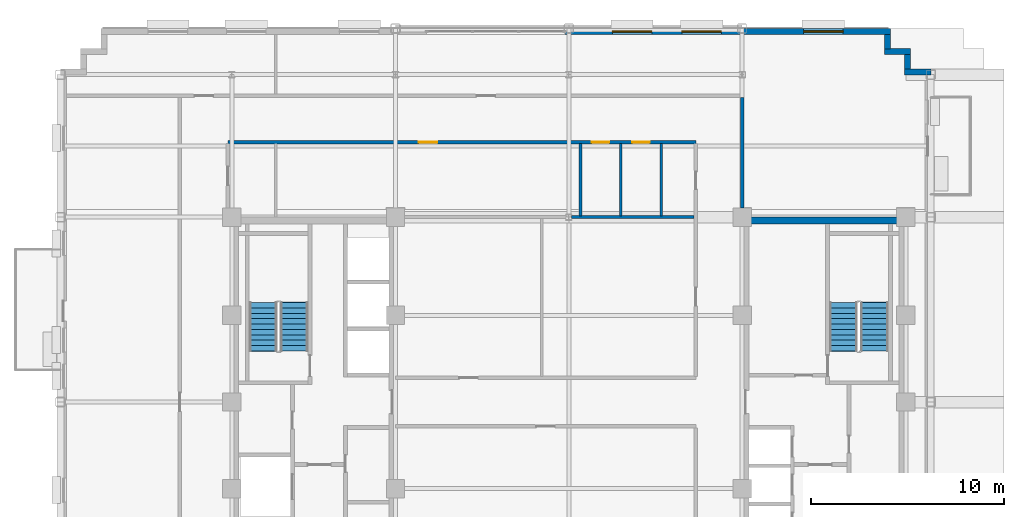
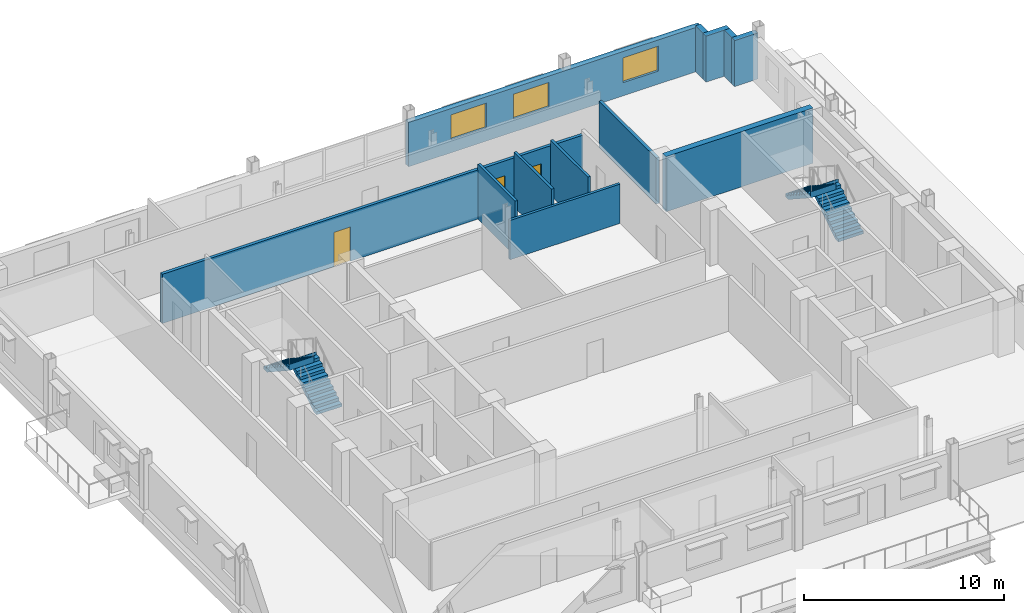
# One storey, part 10 of 16: 12 walls, 4 stair flights, 3 doors, 3 windows, 6 openings, 2 elements without a shape of their own.
"""IFC4 building model written with IfcOpenShell, lengths in metres."""

from ifc_helpers import new_model, si_unit, direction, frame, frame_2d, origin, place, context, subcontext, project, spatial, polyline, rectangle, outline, extrude, source, transform, mapped, material, layer, layer_set, type_object, type_shapes, element, fill, aggregate, save


model = new_model("IFC4")

# Units and contexts
model_context = context("Model", 3, precision=1e-05, world=origin(), true_north=direction((0.0, 1.0)))
body_context = subcontext(model_context, "Body", "Model", "MODEL_VIEW")
ifc_project = project(units=[si_unit("LENGTHUNIT", "METRE"), si_unit("AREAUNIT", "SQUARE_METRE"), si_unit("VOLUMEUNIT", "CUBIC_METRE"), si_unit("PLANEANGLEUNIT", "RADIAN"), si_unit("MASSUNIT", "GRAM", prefix="KILO")], contexts=[model_context])

# Site, building, storey
site_placement = place(None, origin())
site = spatial("IfcSite", under=ifc_project, at=site_placement, CompositionType="ELEMENT")
building_placement = place(site_placement, origin())
building = spatial("IfcBuilding", under=site, at=building_placement, Name="Nuvemarco Arch Tower", CompositionType="ELEMENT")
storey_placement = place(building_placement, frame((0.0, 0.0, 209.14990234375)))
storey = spatial("IfcBuildingStorey", under=building, at=storey_placement, Name="L55", CompositionType="ELEMENT", Elevation=209.14990234375)

# Walls
ifc_material_1 = material(Name="Precast concrete C45/55", Category="concrete")
ifc_layer_1 = layer(ifc_material_1, 0.31005859375, Name="EW-UPP-310")
ifc_layer_set_1 = layer_set([ifc_layer_1], Name="Precast concrete C45/55")
wall_type_1 = type_object("IfcWallType", Name="EW-UPP-310", PredefinedType="STANDARD", material=ifc_layer_set_1)
wall_1_placement = place(storey_placement, frame((17.43994140625, 17.14501953125, 0.0), z_axis=(0.0, 0.0, 1.0), x_axis=(1.0, 0.0, 0.0)))
element("IfcWall", 1, at=wall_1_placement, inside=storey, type_object=wall_type_1, Name="L55 exterior precast facade wall 7", PredefinedType="STANDARD", context=body_context, shape_type="SweptSolid", body=[
    extrude(rectangle(XDim=1.360107421875, YDim=0.31005859375, at=frame_2d((0.68017578125, 0.0))), origin(), (0.0, 0.0, 1.0), 2.816162109375),
])
wall_2_placement = place(storey_placement, frame((17.594970703125, 17.2958984375, 0.0), z_axis=(0.0, 0.0, 1.0), x_axis=(0.0, 1.0, 0.0)))
element("IfcWall", 2, at=wall_2_placement, inside=storey, type_object=wall_type_1, Name="L55 exterior precast facade wall 8", PredefinedType="STANDARD", context=body_context, shape_type="SweptSolid", body=[
    extrude(rectangle(XDim=0.748046875, YDim=0.31005859375, at=frame_2d((0.3740234375, 0.0))), origin(), (0.0, 0.0, 1.0), 2.816162109375),
])
wall_3_placement = place(storey_placement, frame((16.389892578125, 18.195068359375, 0.0), z_axis=(0.0, 0.0, 1.0), x_axis=(1.0, 0.0, 0.0)))
element("IfcWall", 3, at=wall_3_placement, inside=storey, type_object=wall_type_1, Name="L55 exterior precast facade wall 9", PredefinedType="STANDARD", context=body_context, shape_type="SweptSolid", body=[
    extrude(rectangle(XDim=1.360107421875, YDim=0.31005859375, at=frame_2d((0.68017578125, 0.0))), origin(), (0.0, 0.0, 1.0), 2.816162109375),
])
wall_4_placement = place(storey_placement, frame((16.544921875, 18.345947265625, 0.0), z_axis=(0.0, 0.0, 1.0), x_axis=(0.0, 1.0, 0.0)))
element("IfcWall", 4, at=wall_4_placement, inside=storey, type_object=wall_type_1, Name="L55 exterior precast facade wall 10", PredefinedType="STANDARD", context=body_context, shape_type="SweptSolid", body=[
    extrude(rectangle(XDim=0.748046875, YDim=0.31005859375, at=frame_2d((0.3740234375, 0.0))), origin(), (0.0, 0.0, 1.0), 2.816162109375),
])

# Wall, openings, windows
wall_5_placement = place(storey_placement, frame((-0.199951171875, 19.2451171875, 0.0), z_axis=(0.0, 0.0, 1.0), x_axis=(1.0, 0.0, 0.0)))
wall_5 = element("IfcWall", 5, at=wall_5_placement, inside=storey, type_object=wall_type_1, Name="L55 exterior precast pier wall north right", PredefinedType="STANDARD", context=body_context, shape_type="SweptSolid", body=[
    extrude(rectangle(XDim=16.89990234375, YDim=0.31005859375, at=frame_2d((8.449951171875, 0.0))), origin(), (0.0, 0.0, 1.0), 2.705078125),
])
opening_1_placement = place(wall_5_placement, frame((2.458251953125, 0.0, 0.800048828125)))
opening_1 = element("IfcOpeningElement", 6, at=opening_1_placement, cuts=wall_5, Name="Opening WN-12", PredefinedType="OPENING", context=body_context, shape_type="SweptSolid", body=[
    extrude(rectangle(XDim=2.050048828125, YDim=1.52001953125, at=frame_2d((1.02490234375, 0.760009765625))), frame((0.0, 0.1650390625, 0.0), z_axis=(0.0, -1.0, 0.0), x_axis=(1.0, 0.0, 0.0)), (0.0, 0.0, 1.0), 0.330078125),
])
opening_2_placement = place(wall_5_placement, frame((6.074951171875, 0.0, 0.800048828125)))
opening_2 = element("IfcOpeningElement", 7, at=opening_2_placement, cuts=wall_5, Name="Opening WN-12", PredefinedType="OPENING", context=body_context, shape_type="SweptSolid", body=[
    extrude(rectangle(XDim=2.050048828125, YDim=1.52001953125, at=frame_2d((1.02490234375, 0.760009765625))), frame((0.0, 0.1650390625, 0.0), z_axis=(0.0, -1.0, 0.0), x_axis=(1.0, 0.0, 0.0)), (0.0, 0.0, 1.0), 0.330078125),
])
opening_3_placement = place(wall_5_placement, frame((12.3916015625, 0.0, 0.800048828125)))
opening_3 = element("IfcOpeningElement", 8, at=opening_3_placement, cuts=wall_5, Name="Opening WN-12", PredefinedType="OPENING", context=body_context, shape_type="SweptSolid", body=[
    extrude(rectangle(XDim=2.050048828125, YDim=1.52001953125, at=frame_2d((1.02490234375, 0.760009765625))), frame((0.0, 0.1650390625, 0.0), z_axis=(0.0, -1.0, 0.0), x_axis=(1.0, 0.0, 0.0)), (0.0, 0.0, 1.0), 0.330078125),
])
ifc_material_2 = material(Name="Insulated solar-control glass", Category="glass")
window_type = type_object("IfcWindowType", Name="WN-SET-2050x1520", PartitioningType="DOUBLE_PANEL_VERTICAL", PredefinedType="WINDOW", material=ifc_material_2)
shared_shape_1 = source(origin(), body_context, "Body", "SweptSolid", [
    extrude(rectangle(XDim=2.050048828125, YDim=1.52001953125, at=frame_2d((1.02490234375, 0.760009765625))), frame((0.0, 0.030029296875, 0.0), z_axis=(0.0, -1.0, 0.0), x_axis=(1.0, 0.0, 0.0)), (0.0, 0.0, 1.0), 0.06005859375),
])
type_shapes(window_type, [shared_shape_1])
window_1_placement = place(opening_1_placement, origin())
window_1 = element("IfcWindow", 9, at=window_1_placement, inside=storey, type_object=window_type, Name="L55 punched facade window 1", OverallHeight=1.52001953125, OverallWidth=2.050048828125, PartitioningType="SINGLE_PANEL", PredefinedType="WINDOW", context=body_context, shape_type="MappedRepresentation", body=[
    mapped(shared_shape_1, transform((0.0, 0.0, 0.0), scale=1.0)),
])
fill(opening_1, window_1)
window_2_placement = place(opening_2_placement, origin())
window_2 = element("IfcWindow", 10, at=window_2_placement, inside=storey, type_object=window_type, Name="L55 punched facade window 2", OverallHeight=1.52001953125, OverallWidth=2.050048828125, PartitioningType="SINGLE_PANEL", PredefinedType="WINDOW", context=body_context, shape_type="MappedRepresentation", body=[
    mapped(shared_shape_1, transform((0.0, 0.0, 0.0), scale=1.0)),
])
fill(opening_2, window_2)
window_3_placement = place(opening_3_placement, origin())
window_3 = element("IfcWindow", 11, at=window_3_placement, inside=storey, type_object=window_type, Name="L55 punched facade window 3", OverallHeight=1.52001953125, OverallWidth=2.050048828125, PartitioningType="SINGLE_PANEL", PredefinedType="WINDOW", context=body_context, shape_type="MappedRepresentation", body=[
    mapped(shared_shape_1, transform((0.0, 0.0, 0.0), scale=1.0)),
])
fill(opening_3, window_3)

# Wall
ifc_material_3 = material(Name="Concrete C50/60", Category="concrete")
ifc_layer_2 = layer(ifc_material_3, 0.35009765625, Name="WL-CORE-350")
ifc_layer_set_2 = layer_set([ifc_layer_2], Name="Concrete C50/60")
wall_type_2 = type_object("IfcWallType", Name="WL-CORE-350", PredefinedType="SHEAR", material=ifc_layer_set_2)
wall_6_placement = place(storey_placement, frame((9.0, 9.425048828125, 0.0), z_axis=(0.0, 0.0, 1.0), x_axis=(1.0, 0.0, 0.0)))
element("IfcWall", 12, at=wall_6_placement, inside=storey, type_object=wall_type_2, Name="L55 E-core shear wall N", PredefinedType="SHEAR", context=body_context, shape_type="SweptSolid", body=[
    extrude(rectangle(XDim=8.5, YDim=0.35009765625, at=frame_2d((4.25, 0.0))), origin(), (0.0, 0.0, 1.0), 3.3701171875),
])

# Wall, openings, doors
ifc_material_4 = material(Name="Fire-rated gypsum drywall partition")
ifc_layer_3 = layer(ifc_material_4, 0.179931640625, Name="WL-CORR-180")
ifc_layer_set_3 = layer_set([ifc_layer_3], Name="Fire-rated gypsum drywall partition")
wall_type_3 = type_object("IfcWallType", Name="WL-CORR-180", PredefinedType="PARTITIONING", material=ifc_layer_set_3)
wall_7_placement = place(storey_placement, frame((-17.699951171875, 13.5, 0.0), z_axis=(0.0, 0.0, 1.0), x_axis=(1.0, 0.0, 0.0)))
wall_7 = element("IfcWall", 13, at=wall_7_placement, inside=storey, type_object=wall_type_3, Name="L55 interior wall IW-L55-009", PredefinedType="PARTITIONING", context=body_context, shape_type="SweptSolid", body=[
    extrude(rectangle(XDim=24.300048828125, YDim=0.179931640625, at=frame_2d((12.14990234375, 0.0))), origin(), (0.0, 0.0, 1.0), 3.008056640625),
])
opening_4_placement = place(wall_7_placement, frame((9.9150390625, 0.0, 0.0)))
opening_4 = element("IfcOpeningElement", 14, at=opening_4_placement, cuts=wall_7, Name="Opening FD-5", PredefinedType="OPENING", context=body_context, shape_type="SweptSolid", body=[
    extrude(rectangle(XDim=0.9599609375, YDim=2.10009765625, at=frame_2d((0.47998046875, 1.050048828125))), frame((0.0, 0.099853515625, 0.0), z_axis=(0.0, -1.0, 0.0), x_axis=(1.0, 0.0, 0.0)), (0.0, 0.0, 1.0), 0.199951171875),
])
opening_5_placement = place(wall_7_placement, frame((18.89990234375, 0.0, 0.0)))
opening_5 = element("IfcOpeningElement", 15, at=opening_5_placement, cuts=wall_7, Name="Opening ID-3", PredefinedType="OPENING", context=body_context, shape_type="SweptSolid", body=[
    extrude(rectangle(XDim=0.89990234375, YDim=2.10009765625, at=frame_2d((0.449951171875, 1.050048828125))), frame((0.0, 0.099853515625, 0.0), z_axis=(0.0, -1.0, 0.0), x_axis=(1.0, 0.0, 0.0)), (0.0, 0.0, 1.0), 0.199951171875),
])
opening_6_placement = place(wall_7_placement, frame((21.0, 0.0, 0.0)))
opening_6 = element("IfcOpeningElement", 16, at=opening_6_placement, cuts=wall_7, Name="Opening ID-3", PredefinedType="OPENING", context=body_context, shape_type="SweptSolid", body=[
    extrude(rectangle(XDim=0.89990234375, YDim=2.10009765625, at=frame_2d((0.449951171875, 1.050048828125))), frame((0.0, 0.099853515625, 0.0), z_axis=(0.0, -1.0, 0.0), x_axis=(1.0, 0.0, 0.0)), (0.0, 0.0, 1.0), 0.199951171875),
])
ifc_material_5 = material(Name="Timber fire door", Category="wood")
door_type_1 = type_object("IfcDoorType", Name="DR-CORR-FD", OperationType="NOTDEFINED", PredefinedType="DOOR", material=ifc_material_5)
shared_shape_2 = source(origin(), body_context, "Body", "SweptSolid", [
    extrude(rectangle(XDim=0.9599609375, YDim=2.10009765625, at=frame_2d((0.47998046875, 1.050048828125))), frame((0.0, 0.02490234375, 0.0), z_axis=(0.0, -1.0, 0.0), x_axis=(1.0, 0.0, 0.0)), (0.0, 0.0, 1.0), 0.050048828125),
])
type_shapes(door_type_1, [shared_shape_2])
door_1_placement = place(opening_4_placement, origin())
door_1 = element("IfcDoor", 17, at=door_1_placement, inside=storey, type_object=door_type_1, Name="L55 door DR-L55-N_2", OperationType="SINGLE_SWING_RIGHT", OverallHeight=2.10009765625, OverallWidth=0.9599609375, PredefinedType="DOOR", context=body_context, shape_type="MappedRepresentation", body=[
    mapped(shared_shape_2, transform((0.0, 0.0, 0.0), scale=1.0)),
])
fill(opening_4, door_1)
ifc_material_6 = material(Name="Veneered oak timber fire door", Category="wood")
door_type_2 = type_object("IfcDoorType", Name="DR-WC-ACC", OperationType="NOTDEFINED", PredefinedType="DOOR", material=ifc_material_6)
shared_shape_3 = source(origin(), body_context, "Body", "SweptSolid", [
    extrude(rectangle(XDim=0.89990234375, YDim=2.10009765625, at=frame_2d((0.449951171875, 1.050048828125))), frame((0.0, 0.02490234375, 0.0), z_axis=(0.0, -1.0, 0.0), x_axis=(1.0, 0.0, 0.0)), (0.0, 0.0, 1.0), 0.050048828125),
])
type_shapes(door_type_2, [shared_shape_3])
door_2_placement = place(opening_5_placement, origin())
door_2 = element("IfcDoor", 18, at=door_2_placement, inside=storey, type_object=door_type_2, Name="L55 door DR-L55-WC_M", OperationType="SINGLE_SWING_LEFT", OverallHeight=2.10009765625, OverallWidth=0.89990234375, PredefinedType="DOOR", context=body_context, shape_type="MappedRepresentation", body=[
    mapped(shared_shape_3, transform((0.0, 0.0, 0.0), scale=1.0)),
])
fill(opening_5, door_2)
door_3_placement = place(opening_6_placement, origin())
door_3 = element("IfcDoor", 19, at=door_3_placement, inside=storey, type_object=door_type_2, Name="L55 door DR-L55-WC_F", OperationType="SINGLE_SWING_RIGHT", OverallHeight=2.10009765625, OverallWidth=0.89990234375, PredefinedType="DOOR", context=body_context, shape_type="MappedRepresentation", body=[
    mapped(shared_shape_3, transform((0.0, 0.0, 0.0), scale=1.0)),
])
fill(opening_6, door_3)

# Walls
wall_8_placement = place(storey_placement, frame((9.0, 10.071044921875, 0.0), z_axis=(0.0, 0.0, 1.0), x_axis=(0.0, 1.0, 0.0)))
element("IfcWall", 20, at=wall_8_placement, inside=storey, type_object=wall_type_3, Name="L55 interior wall IW-L55-027", PredefinedType="PARTITIONING", context=body_context, shape_type="SweptSolid", body=[
    extrude(rectangle(XDim=5.742919921875, YDim=0.179931640625, at=frame_2d((2.87158203125, 0.0))), origin(), (0.0, 0.0, 1.0), 2.816162109375),
])
ifc_material_7 = material(Name="Moisture-resistant gypsum partition")
ifc_layer_4 = layer(ifc_material_7, 0.14990234375, Name="WL-WET-150")
ifc_layer_set_4 = layer_set([ifc_layer_4], Name="Moisture-resistant gypsum partition")
wall_type_4 = type_object("IfcWallType", Name="WL-WET-150", PredefinedType="PARTITIONING", material=ifc_layer_set_4)
wall_9_placement = place(storey_placement, frame((0.15087890625, 9.60009765625, 0.0), z_axis=(0.0, 0.0, 1.0), x_axis=(1.0, 0.0, 0.0)))
element("IfcWall", 21, at=wall_9_placement, inside=storey, type_object=wall_type_4, Name="L55 interior wall IW-L55-008", PredefinedType="PARTITIONING", context=body_context, shape_type="SweptSolid", body=[
    extrude(rectangle(XDim=6.363037109375, YDim=0.14990234375, at=frame_2d((3.181640625, 0.0))), origin(), (0.0, 0.0, 1.0), 2.405029296875),
])
for number, where, z_axis, x_axis, name in (
    (22, (0.60009765625, 9.6708984375, 0.0), (0.0, 0.0, 1.0), (0.0, 1.0, 0.0), "L55 interior wall IW-L55-021"),
    (23, (2.699951171875, 9.6708984375, 0.0), (0.0, 0.0, 1.0), (0.0, 1.0, 0.0), "L55 interior wall IW-L55-022"),
    (24, (4.800048828125, 9.6708984375, 0.0), (0.0, 0.0, 1.0), (0.0, 1.0, 0.0), "L55 interior wall IW-L55-023"),
):
    element("IfcWall", number, at=place(storey_placement, frame(where, z_axis=z_axis, x_axis=x_axis)), inside=storey, type_object=wall_type_4, Name=name, PredefinedType="PARTITIONING", context=body_context, shape_type="SweptSolid", body=[
        extrude(rectangle(XDim=3.7431640625, YDim=0.14990234375, at=frame_2d((1.87158203125, 0.0))), origin(), (0.0, 0.0, 1.0), 3.360107421875),
    ])

# Stair, stair flights
stair_type = type_object("IfcStairType", Name="ST-CORE-20R", PredefinedType="HALF_TURN_STAIR", material=ifc_material_1)
stair_1_placement = place(storey_placement, origin())
stair_1 = element("IfcStair", 25, at=stair_1_placement, inside=storey, type_object=stair_type, Name="L55 Protected Exit Stair ST-1", PredefinedType="HALF_TURN_STAIR")
stair_flight_type = type_object("IfcStairFlightType", Name="SF-CORE-20R", PredefinedType="STRAIGHT", material=ifc_material_1)
stair_flight_1_placement = place(storey_placement, frame((-14.264892578125, 2.64990234375, 0.0), z_axis=(0.0, 0.0, 1.0), x_axis=(0.0, 1.0, 0.0)))
stair_flight_1 = element("IfcStairFlight", 26, at=stair_flight_1_placement, type_object=stair_flight_type, Name="ST-20R flight 1", NumberOfRisers=10, NumberOfTreads=9, PredefinedType="STRAIGHT", RiserHeight=0.1825, TreadLength=0.28, context=body_context, shape_type="SweptSolid", body=[
    extrude(outline(polyline([(0.0, 0.0), (0.0, 0.1826171875), (0.280029296875, 0.1826171875), (0.280029296875, 0.364990234375), (0.56005859375, 0.364990234375), (0.56005859375, 0.547607421875), (0.840087890625, 0.547607421875), (0.840087890625, 0.72998046875), (1.1201171875, 0.72998046875), (1.1201171875, 0.91259765625), (1.39990234375, 0.91259765625), (1.39990234375, 1.094970703125), (1.679931640625, 1.094970703125), (1.679931640625, 1.277587890625), (1.9599609375, 1.277587890625), (1.9599609375, 1.4599609375), (2.239990234375, 1.4599609375), (2.239990234375, 1.642578125), (2.52001953125, 1.642578125), (2.52001953125, 1.824951171875), (2.5400390625, 1.824951171875), (2.5400390625, 1.45166015625), (0.312744140625, 0.0), (0.0, 0.0)])), frame((0.0, 0.72509765625, 0.0), z_axis=(0.0, -1.0, 0.0), x_axis=(1.0, 0.0, 0.0)), (0.0, 0.0, 1.0), 1.449951171875),
])
stair_flight_2_placement = place(storey_placement, frame((-15.875, 5.169921875, 1.8251953125), z_axis=(0.0, 0.0, 1.0), x_axis=(0.0, -1.0, 0.0)))
stair_flight_2 = element("IfcStairFlight", 27, at=stair_flight_2_placement, type_object=stair_flight_type, Name="ST-20R flight 2", NumberOfRisers=10, NumberOfTreads=9, PredefinedType="STRAIGHT", RiserHeight=0.1825, TreadLength=0.28, context=body_context, shape_type="SweptSolid", body=[
    extrude(outline(polyline([(0.0, 0.0), (0.0, 0.1826171875), (0.280029296875, 0.1826171875), (0.280029296875, 0.364990234375), (0.56005859375, 0.364990234375), (0.56005859375, 0.547607421875), (0.840087890625, 0.547607421875), (0.840087890625, 0.72998046875), (1.1201171875, 0.72998046875), (1.1201171875, 0.91259765625), (1.39990234375, 0.91259765625), (1.39990234375, 1.094970703125), (1.679931640625, 1.094970703125), (1.679931640625, 1.277587890625), (1.9599609375, 1.277587890625), (1.9599609375, 1.4599609375), (2.239990234375, 1.4599609375), (2.239990234375, 1.642578125), (2.52001953125, 1.642578125), (2.52001953125, 1.824951171875), (2.5400390625, 1.824951171875), (2.5400390625, 1.45166015625), (0.312744140625, 0.0), (0.0, 0.0)])), frame((0.0, 0.72509765625, 0.0), z_axis=(0.0, -1.0, 0.0), x_axis=(1.0, 0.0, 0.0)), (0.0, 0.0, 1.0), 1.449951171875),
])
aggregate(stair_1, [stair_flight_1, stair_flight_2])

stair_2_placement = place(storey_placement, origin())
stair_2 = element("IfcStair", 28, at=stair_2_placement, inside=storey, type_object=stair_type, Name="L55 Protected Exit Stair ST-2", PredefinedType="HALF_TURN_STAIR")
stair_flight_3_placement = place(storey_placement, frame((15.875, 2.64990234375, 0.0), z_axis=(0.0, 0.0, 1.0), x_axis=(0.0, 1.0, 0.0)))
stair_flight_3 = element("IfcStairFlight", 29, at=stair_flight_3_placement, type_object=stair_flight_type, Name="ST-20R flight 1", NumberOfRisers=10, NumberOfTreads=9, PredefinedType="STRAIGHT", RiserHeight=0.1825, TreadLength=0.28, context=body_context, shape_type="SweptSolid", body=[
    extrude(outline(polyline([(0.0, 0.0), (0.0, 0.1826171875), (0.280029296875, 0.1826171875), (0.280029296875, 0.364990234375), (0.56005859375, 0.364990234375), (0.56005859375, 0.547607421875), (0.840087890625, 0.547607421875), (0.840087890625, 0.72998046875), (1.1201171875, 0.72998046875), (1.1201171875, 0.91259765625), (1.39990234375, 0.91259765625), (1.39990234375, 1.094970703125), (1.679931640625, 1.094970703125), (1.679931640625, 1.277587890625), (1.9599609375, 1.277587890625), (1.9599609375, 1.4599609375), (2.239990234375, 1.4599609375), (2.239990234375, 1.642578125), (2.52001953125, 1.642578125), (2.52001953125, 1.824951171875), (2.5400390625, 1.824951171875), (2.5400390625, 1.45166015625), (0.312744140625, 0.0), (0.0, 0.0)])), frame((0.0, 0.72509765625, 0.0), z_axis=(0.0, -1.0, 0.0), x_axis=(1.0, 0.0, 0.0)), (0.0, 0.0, 1.0), 1.449951171875),
])
stair_flight_4_placement = place(storey_placement, frame((14.264892578125, 5.169921875, 1.8251953125), z_axis=(0.0, 0.0, 1.0), x_axis=(0.0, -1.0, 0.0)))
stair_flight_4 = element("IfcStairFlight", 30, at=stair_flight_4_placement, type_object=stair_flight_type, Name="ST-20R flight 2", NumberOfRisers=10, NumberOfTreads=9, PredefinedType="STRAIGHT", RiserHeight=0.1825, TreadLength=0.28, context=body_context, shape_type="SweptSolid", body=[
    extrude(outline(polyline([(0.0, 0.0), (0.0, 0.1826171875), (0.280029296875, 0.1826171875), (0.280029296875, 0.364990234375), (0.56005859375, 0.364990234375), (0.56005859375, 0.547607421875), (0.840087890625, 0.547607421875), (0.840087890625, 0.72998046875), (1.1201171875, 0.72998046875), (1.1201171875, 0.91259765625), (1.39990234375, 0.91259765625), (1.39990234375, 1.094970703125), (1.679931640625, 1.094970703125), (1.679931640625, 1.277587890625), (1.9599609375, 1.277587890625), (1.9599609375, 1.4599609375), (2.239990234375, 1.4599609375), (2.239990234375, 1.642578125), (2.52001953125, 1.642578125), (2.52001953125, 1.824951171875), (2.5400390625, 1.824951171875), (2.5400390625, 1.45166015625), (0.312744140625, 0.0), (0.0, 0.0)])), frame((0.0, 0.72509765625, 0.0), z_axis=(0.0, -1.0, 0.0), x_axis=(1.0, 0.0, 0.0)), (0.0, 0.0, 1.0), 1.449951171875),
])
aggregate(stair_2, [stair_flight_3, stair_flight_4])

save(model, "model.ifc")
